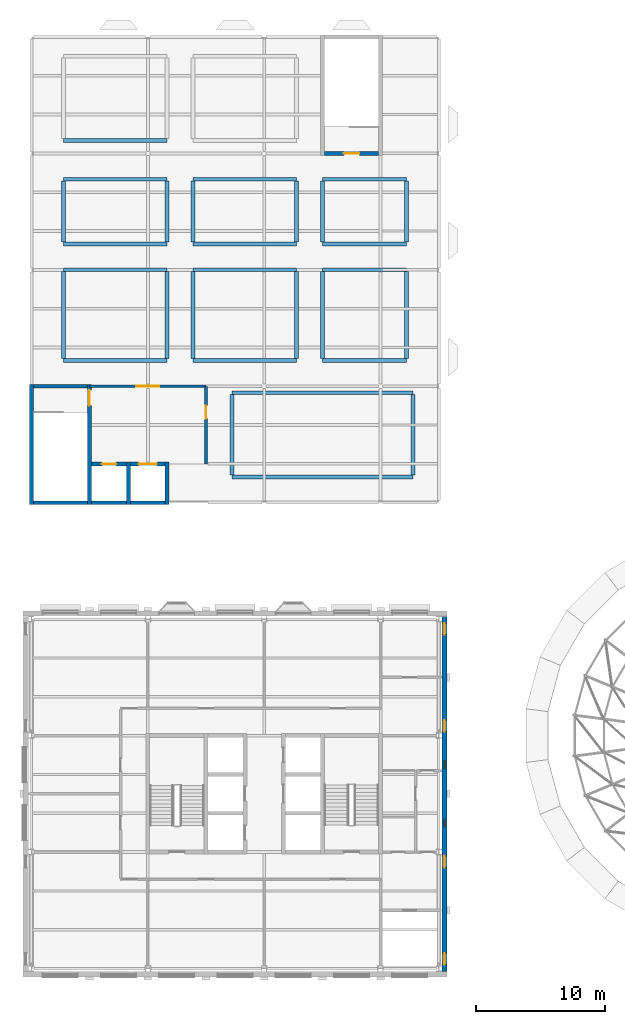
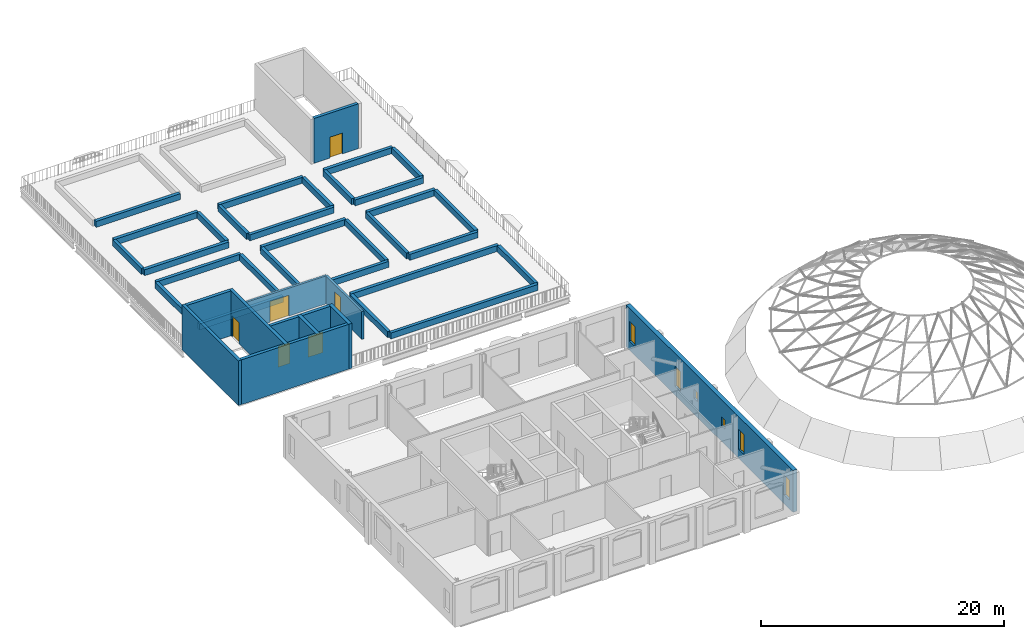
# One storey, part 14 of 33: 40 walls, 6 doors, 6 windows, 12 openings.
"""IFC4 building model written with IfcOpenShell, lengths in metres."""

from ifc_helpers import new_model, si_unit, direction, frame, frame_2d, origin, place, context, subcontext, project, spatial, rectangle, extrude, material, layer, layer_set, type_object, element, fill, save


model = new_model("IFC4")

# Units and contexts
model_context = context("Model", 3, precision=1e-05, world=origin(), true_north=direction((0.0, 1.0)))
body_context = subcontext(model_context, "Body", "Model", "MODEL_VIEW")
ifc_project = project(units=[si_unit("LENGTHUNIT", "METRE"), si_unit("AREAUNIT", "SQUARE_METRE"), si_unit("VOLUMEUNIT", "CUBIC_METRE"), si_unit("PLANEANGLEUNIT", "RADIAN"), si_unit("MASSUNIT", "GRAM", prefix="KILO")], contexts=[model_context])

# Site, building, storey
site_placement = place(None, origin())
site = spatial("IfcSite", under=ifc_project, at=site_placement, CompositionType="ELEMENT")
building_placement = place(site_placement, origin())
building = spatial("IfcBuilding", under=site, at=building_placement, Name="Hortulan Conservatory and Botanical Research Centre", CompositionType="ELEMENT")
storey_placement = place(building_placement, frame((0.0, 0.0, 19.199951171875)))
storey = spatial("IfcBuildingStorey", under=building, at=storey_placement, Name="L04", CompositionType="ELEMENT", Elevation=19.199951171875)

# Wall, openings, windows
ifc_material_1 = material(Name="Faience-faced brickwork masonry", Category="masonry")
ifc_layer_1 = layer(ifc_material_1, 0.39990234375)
ifc_layer_set_1 = layer_set([ifc_layer_1], Name="Faience-faced Masonry Cavity Wall 400")
wall_type_1 = type_object("IfcWallType", Name="Faience-faced Masonry Cavity Wall 400", PredefinedType="STANDARD", material=ifc_layer_set_1)
wall_1_placement = place(storey_placement, frame((31.925048828125, 27.22509765625, 0.0), z_axis=(0.0, 0.0, 1.0), x_axis=(0.0, -1.0, 0.0)))
wall_1 = element("IfcWall", 1, at=wall_1_placement, inside=storey, type_object=wall_type_1, Name="E-EW-TW-L04-E4", PredefinedType="STANDARD", context=body_context, shape_type="SweptSolid", body=[
    extrude(rectangle(XDim=27.4501953125, YDim=0.39990234375, at=frame_2d((13.72509765625, 0.0))), origin(), (0.0, 0.0, 1.0), 4.199951171875),
])
opening_1_placement = place(wall_1_placement, frame((26.02490234375, 0.0, 0.89990234375)))
opening_1 = element("IfcOpeningElement", 2, at=opening_1_placement, cuts=wall_1, Name="Opening W5", PredefinedType="OPENING", context=body_context, shape_type="SweptSolid", body=[
    extrude(rectangle(XDim=0.89990234375, YDim=2.0, at=frame_2d((0.449951171875, 1.0))), frame((0.0, 0.2099609375, 0.0), z_axis=(0.0, -1.0, 0.0), x_axis=(1.0, 0.0, 0.0)), (0.0, 0.0, 1.0), 0.419921875),
])
opening_2_placement = place(wall_1_placement, frame((18.52490234375, 0.0, 0.89990234375)))
opening_2 = element("IfcOpeningElement", 3, at=opening_2_placement, cuts=wall_1, Name="Opening W5", PredefinedType="OPENING", context=body_context, shape_type="SweptSolid", body=[
    extrude(rectangle(XDim=0.89990234375, YDim=2.0, at=frame_2d((0.449951171875, 1.0))), frame((0.0, 0.2099609375, 0.0), z_axis=(0.0, -1.0, 0.0), x_axis=(1.0, 0.0, 0.0)), (0.0, 0.0, 1.0), 0.419921875),
])
opening_3_placement = place(wall_1_placement, frame((15.675048828125, 0.0, 1.60009765625)))
opening_3 = element("IfcOpeningElement", 4, at=opening_3_placement, cuts=wall_1, Name="Opening W3", PredefinedType="OPENING", context=body_context, shape_type="SweptSolid", body=[
    extrude(rectangle(XDim=0.60009765625, YDim=0.89990234375, at=frame_2d((0.300048828125, 0.449951171875))), frame((0.0, 0.2099609375, 0.0), z_axis=(0.0, -1.0, 0.0), x_axis=(1.0, 0.0, 0.0)), (0.0, 0.0, 1.0), 0.419921875),
])
opening_4_placement = place(wall_1_placement, frame((11.175048828125, 0.0, 1.60009765625)))
opening_4 = element("IfcOpeningElement", 5, at=opening_4_placement, cuts=wall_1, Name="Opening W3", PredefinedType="OPENING", context=body_context, shape_type="SweptSolid", body=[
    extrude(rectangle(XDim=0.60009765625, YDim=0.89990234375, at=frame_2d((0.300048828125, 0.449951171875))), frame((0.0, 0.2099609375, 0.0), z_axis=(0.0, -1.0, 0.0), x_axis=(1.0, 0.0, 0.0)), (0.0, 0.0, 1.0), 0.419921875),
])
opening_5_placement = place(wall_1_placement, frame((8.02490234375, 0.0, 0.89990234375)))
opening_5 = element("IfcOpeningElement", 6, at=opening_5_placement, cuts=wall_1, Name="Opening W5", PredefinedType="OPENING", context=body_context, shape_type="SweptSolid", body=[
    extrude(rectangle(XDim=0.89990234375, YDim=2.0, at=frame_2d((0.449951171875, 1.0))), frame((0.0, 0.2099609375, 0.0), z_axis=(0.0, -1.0, 0.0), x_axis=(1.0, 0.0, 0.0)), (0.0, 0.0, 1.0), 0.419921875),
])
opening_6_placement = place(wall_1_placement, frame((0.52490234375, 0.0, 0.89990234375)))
opening_6 = element("IfcOpeningElement", 7, at=opening_6_placement, cuts=wall_1, Name="Opening W5", PredefinedType="OPENING", context=body_context, shape_type="SweptSolid", body=[
    extrude(rectangle(XDim=0.89990234375, YDim=2.0, at=frame_2d((0.449951171875, 1.0))), frame((0.0, 0.2099609375, 0.0), z_axis=(0.0, -1.0, 0.0), x_axis=(1.0, 0.0, 0.0)), (0.0, 0.0, 1.0), 0.419921875),
])
ifc_material_2 = material(Name="Bronze-finished aluminium frame with low-e laminated double glazing", Category="aluminium")
window_type_1 = type_object("IfcWindowType", Name="Faience Pier Window 900x2000", PartitioningType="SINGLE_PANEL", PredefinedType="WINDOW", material=ifc_material_2)
window_1_placement = place(opening_1_placement, origin())
window_1 = element("IfcWindow", 8, at=window_1_placement, inside=storey, type_object=window_type_1, Name="Faience Pier window", OverallHeight=2.0, OverallWidth=0.89990234375, PartitioningType="SINGLE_PANEL", PredefinedType="WINDOW", context=body_context, shape_type="SweptSolid", body=[
    extrude(rectangle(XDim=0.89990234375, YDim=2.0, at=frame_2d((0.449951171875, 1.0))), frame((0.0, 0.030029296875, 0.0), z_axis=(0.0, -1.0, 0.0), x_axis=(1.0, 0.0, 0.0)), (0.0, 0.0, 1.0), 0.06005859375),
])
fill(opening_1, window_1)
window_2_placement = place(opening_2_placement, origin())
window_2 = element("IfcWindow", 9, at=window_2_placement, inside=storey, type_object=window_type_1, Name="Faience Pier window", OverallHeight=2.0, OverallWidth=0.89990234375, PartitioningType="SINGLE_PANEL", PredefinedType="WINDOW", context=body_context, shape_type="SweptSolid", body=[
    extrude(rectangle(XDim=0.89990234375, YDim=2.0, at=frame_2d((0.449951171875, 1.0))), frame((0.0, 0.030029296875, 0.0), z_axis=(0.0, -1.0, 0.0), x_axis=(1.0, 0.0, 0.0)), (0.0, 0.0, 1.0), 0.06005859375),
])
fill(opening_2, window_2)
window_3_placement = place(opening_5_placement, origin())
window_3 = element("IfcWindow", 10, at=window_3_placement, inside=storey, type_object=window_type_1, Name="Faience Pier window", OverallHeight=2.0, OverallWidth=0.89990234375, PartitioningType="SINGLE_PANEL", PredefinedType="WINDOW", context=body_context, shape_type="SweptSolid", body=[
    extrude(rectangle(XDim=0.89990234375, YDim=2.0, at=frame_2d((0.449951171875, 1.0))), frame((0.0, 0.030029296875, 0.0), z_axis=(0.0, -1.0, 0.0), x_axis=(1.0, 0.0, 0.0)), (0.0, 0.0, 1.0), 0.06005859375),
])
fill(opening_5, window_3)
window_4_placement = place(opening_6_placement, origin())
window_4 = element("IfcWindow", 11, at=window_4_placement, inside=storey, type_object=window_type_1, Name="Faience Pier window", OverallHeight=2.0, OverallWidth=0.89990234375, PartitioningType="SINGLE_PANEL", PredefinedType="WINDOW", context=body_context, shape_type="SweptSolid", body=[
    extrude(rectangle(XDim=0.89990234375, YDim=2.0, at=frame_2d((0.449951171875, 1.0))), frame((0.0, 0.030029296875, 0.0), z_axis=(0.0, -1.0, 0.0), x_axis=(1.0, 0.0, 0.0)), (0.0, 0.0, 1.0), 0.06005859375),
])
fill(opening_6, window_4)
window_type_2 = type_object("IfcWindowType", Name="Slot Window 600x900", PartitioningType="SINGLE_PANEL", PredefinedType="WINDOW", material=ifc_material_2)
window_5_placement = place(opening_3_placement, origin())
window_5 = element("IfcWindow", 12, at=window_5_placement, inside=storey, type_object=window_type_2, Name="Slot window", OverallHeight=0.89990234375, OverallWidth=0.60009765625, PartitioningType="SINGLE_PANEL", PredefinedType="WINDOW", context=body_context, shape_type="SweptSolid", body=[
    extrude(rectangle(XDim=0.60009765625, YDim=0.89990234375, at=frame_2d((0.300048828125, 0.449951171875))), frame((0.0, 0.030029296875, 0.0), z_axis=(0.0, -1.0, 0.0), x_axis=(1.0, 0.0, 0.0)), (0.0, 0.0, 1.0), 0.06005859375),
])
fill(opening_3, window_5)
window_6_placement = place(opening_4_placement, origin())
window_6 = element("IfcWindow", 13, at=window_6_placement, inside=storey, type_object=window_type_2, Name="Slot window", OverallHeight=0.89990234375, OverallWidth=0.60009765625, PartitioningType="SINGLE_PANEL", PredefinedType="WINDOW", context=body_context, shape_type="SweptSolid", body=[
    extrude(rectangle(XDim=0.60009765625, YDim=0.89990234375, at=frame_2d((0.300048828125, 0.449951171875))), frame((0.0, 0.030029296875, 0.0), z_axis=(0.0, -1.0, 0.0), x_axis=(1.0, 0.0, 0.0)), (0.0, 0.0, 1.0), 0.06005859375),
])
fill(opening_4, window_6)

# Wall, opening, door
ifc_material_3 = material(Name="Concrete N40 (40 MPa, AS 3600)", Category="concrete")
ifc_layer_2 = layer(ifc_material_3, 0.199951171875)
ifc_layer_set_2 = layer_set([ifc_layer_2], Name="Roof Garden Lobby Wall 200")
wall_type_2 = type_object("IfcWallType", Name="Roof Garden Lobby Wall 200", PredefinedType="STANDARD", material=ifc_layer_set_2)
wall_2_placement = place(storey_placement, frame((4.5, 45.0, 0.0), z_axis=(0.0, 0.0, 1.0), x_axis=(1.0, 0.0, 0.0)))
wall_2 = element("IfcWall", 14, at=wall_2_placement, inside=storey, type_object=wall_type_2, Name="Roof garden lobby north wall", PredefinedType="STANDARD", context=body_context, shape_type="SweptSolid", body=[
    extrude(rectangle(XDim=9.0, YDim=0.199951171875, at=frame_2d((4.5, 0.0))), origin(), (0.0, 0.0, 1.0), 2.800048828125),
])
opening_7_placement = place(wall_2_placement, frame((3.60009765625, 0.0, 0.0)))
opening_7 = element("IfcOpeningElement", 15, at=opening_7_placement, cuts=wall_2, Name="Opening DL1", PredefinedType="OPENING", context=body_context, shape_type="SweptSolid", body=[
    extrude(rectangle(XDim=1.800048828125, YDim=2.10009765625, at=frame_2d((0.89990234375, 1.050048828125))), frame((0.0, 0.10986328125, 0.0), z_axis=(0.0, -1.0, 0.0), x_axis=(1.0, 0.0, 0.0)), (0.0, 0.0, 1.0), 0.219970703125),
])
ifc_material_4 = material(Name="Glazed aluminium door leaves in aluminium frame", Category="aluminium")
door_type_1 = type_object("IfcDoorType", Name="Glazed Double Door 1800 x 2100", OperationType="DOUBLE_DOOR_SINGLE_SWING", PredefinedType="DOOR", material=ifc_material_4)
door_1_placement = place(opening_7_placement, origin())
door_1 = element("IfcDoor", 16, at=door_1_placement, inside=storey, type_object=door_type_1, Name="Door DL1 roof garden lobby to roof garden", OperationType="DOUBLE_DOOR_SINGLE_SWING", OverallHeight=2.10009765625, OverallWidth=1.800048828125, PredefinedType="DOOR", context=body_context, shape_type="SweptSolid", body=[
    extrude(rectangle(XDim=1.800048828125, YDim=2.10009765625, at=frame_2d((0.89990234375, 1.050048828125))), frame((0.0, 0.02490234375, 0.0), z_axis=(0.0, -1.0, 0.0), x_axis=(1.0, 0.0, 0.0)), (0.0, 0.0, 1.0), 0.050048828125),
])
fill(opening_7, door_1)

wall_3_placement = place(storey_placement, frame((13.5, 39.0, 0.0), z_axis=(0.0, 0.0, 1.0), x_axis=(0.0, 1.0, 0.0)))
wall_3 = element("IfcWall", 17, at=wall_3_placement, inside=storey, type_object=wall_type_2, Name="Roof garden lobby east wall", PredefinedType="STANDARD", context=body_context, shape_type="SweptSolid", body=[
    extrude(rectangle(XDim=6.0, YDim=0.199951171875, at=frame_2d((3.0, 0.0))), origin(), (0.0, 0.0, 1.0), 2.800048828125),
])
opening_8_placement = place(wall_3_placement, frame((3.5, 0.0, 0.0)))
opening_8 = element("IfcOpeningElement", 18, at=opening_8_placement, cuts=wall_3, Name="Opening DL2", PredefinedType="OPENING", context=body_context, shape_type="SweptSolid", body=[
    extrude(rectangle(XDim=1.0, YDim=2.10009765625, at=frame_2d((0.5, 1.050048828125))), frame((0.0, 0.10986328125, 0.0), z_axis=(0.0, -1.0, 0.0), x_axis=(1.0, 0.0, 0.0)), (0.0, 0.0, 1.0), 0.219970703125),
])
ifc_material_5 = material(Name="Glazed aluminium door leaf in aluminium frame", Category="aluminium")
door_type_2 = type_object("IfcDoorType", Name="Glazed Single Door 1000 x 2100", OperationType="NOTDEFINED", PredefinedType="DOOR", material=ifc_material_5)
door_2_placement = place(opening_8_placement, frame((1.0, 0.0, 0.0), z_axis=(0.0, 0.0, 1.0), x_axis=(-1.0, 0.0, 0.0)))
door_2 = element("IfcDoor", 19, at=door_2_placement, inside=storey, type_object=door_type_2, Name="Door DL2 roof garden lobby to roof garden", OperationType="SINGLE_SWING_RIGHT", OverallHeight=2.10009765625, OverallWidth=1.0, PredefinedType="DOOR", context=body_context, shape_type="SweptSolid", body=[
    extrude(rectangle(XDim=1.0, YDim=2.10009765625, at=frame_2d((0.5, 1.050048828125))), frame((0.0, 0.02490234375, 0.0), z_axis=(0.0, -1.0, 0.0), x_axis=(1.0, 0.0, 0.0)), (0.0, 0.0, 1.0), 0.050048828125),
])
fill(opening_8, door_2)

# Walls
ifc_material_6 = material(Name="Brick masonry kerb with sandstone coping", Category="masonry")
ifc_layer_3 = layer(ifc_material_6, 0.300048828125)
ifc_layer_set_3 = layer_set([ifc_layer_3], Name="Roof Garden Planter Kerb 300x600")
wall_type_3 = type_object("IfcWallType", Name="Roof Garden Planter Kerb 300x600", PredefinedType="STANDARD", material=ifc_layer_set_3)
for number, where, z_axis, x_axis, name in (
    (20, (2.5, 47.0, 0.0), (0.0, 0.0, 1.0), (1.0, 0.0, 0.0), "Roof garden planter 1 south kerb"),
    (21, (2.5, 54.0, 0.0), (0.0, 0.0, 1.0), (1.0, 0.0, 0.0), "Roof garden planter 1 north kerb"),
):
    element("IfcWall", number, at=place(storey_placement, frame(where, z_axis=z_axis, x_axis=x_axis)), inside=storey, type_object=wall_type_3, Name=name, PredefinedType="STANDARD", context=body_context, shape_type="SweptSolid", body=[
        extrude(rectangle(XDim=8.0, YDim=0.300048828125, at=frame_2d((4.0, 0.0))), origin(), (0.0, 0.0, 1.0), 0.60009765625),
    ])
for number, where, z_axis, x_axis, name in (
    (22, (2.5, 47.14990234375, 0.0), (0.0, 0.0, 1.0), (0.0, 1.0, 0.0), "Roof garden planter 1 west kerb"),
    (23, (10.5, 47.14990234375, 0.0), (0.0, 0.0, 1.0), (0.0, 1.0, 0.0), "Roof garden planter 1 east kerb"),
):
    element("IfcWall", number, at=place(storey_placement, frame(where, z_axis=z_axis, x_axis=x_axis)), inside=storey, type_object=wall_type_3, Name=name, PredefinedType="STANDARD", context=body_context, shape_type="SweptSolid", body=[
        extrude(rectangle(XDim=6.7001953125, YDim=0.300048828125, at=frame_2d((3.35009765625, 0.0))), origin(), (0.0, 0.0, 1.0), 0.60009765625),
    ])
for number, where, z_axis, x_axis, name in (
    (24, (12.5, 47.0, 0.0), (0.0, 0.0, 1.0), (1.0, 0.0, 0.0), "Roof garden planter 2 south kerb"),
    (25, (12.5, 54.0, 0.0), (0.0, 0.0, 1.0), (1.0, 0.0, 0.0), "Roof garden planter 2 north kerb"),
):
    element("IfcWall", number, at=place(storey_placement, frame(where, z_axis=z_axis, x_axis=x_axis)), inside=storey, type_object=wall_type_3, Name=name, PredefinedType="STANDARD", context=body_context, shape_type="SweptSolid", body=[
        extrude(rectangle(XDim=8.0, YDim=0.300048828125, at=frame_2d((4.0, 0.0))), origin(), (0.0, 0.0, 1.0), 0.60009765625),
    ])
for number, where, z_axis, x_axis, name in (
    (26, (12.5, 47.14990234375, 0.0), (0.0, 0.0, 1.0), (0.0, 1.0, 0.0), "Roof garden planter 2 west kerb"),
    (27, (20.5, 47.14990234375, 0.0), (0.0, 0.0, 1.0), (0.0, 1.0, 0.0), "Roof garden planter 2 east kerb"),
):
    element("IfcWall", number, at=place(storey_placement, frame(where, z_axis=z_axis, x_axis=x_axis)), inside=storey, type_object=wall_type_3, Name=name, PredefinedType="STANDARD", context=body_context, shape_type="SweptSolid", body=[
        extrude(rectangle(XDim=6.7001953125, YDim=0.300048828125, at=frame_2d((3.35009765625, 0.0))), origin(), (0.0, 0.0, 1.0), 0.60009765625),
    ])
for number, where, z_axis, x_axis, name in (
    (28, (22.5, 47.0, 0.0), (0.0, 0.0, 1.0), (1.0, 0.0, 0.0), "Roof garden planter 3 south kerb"),
    (29, (22.5, 54.0, 0.0), (0.0, 0.0, 1.0), (1.0, 0.0, 0.0), "Roof garden planter 3 north kerb"),
):
    element("IfcWall", number, at=place(storey_placement, frame(where, z_axis=z_axis, x_axis=x_axis)), inside=storey, type_object=wall_type_3, Name=name, PredefinedType="STANDARD", context=body_context, shape_type="SweptSolid", body=[
        extrude(rectangle(XDim=6.5, YDim=0.300048828125, at=frame_2d((3.25, 0.0))), origin(), (0.0, 0.0, 1.0), 0.60009765625),
    ])
for number, where, z_axis, x_axis, name in (
    (30, (22.5, 47.14990234375, 0.0), (0.0, 0.0, 1.0), (0.0, 1.0, 0.0), "Roof garden planter 3 west kerb"),
    (31, (29.0, 47.14990234375, 0.0), (0.0, 0.0, 1.0), (0.0, 1.0, 0.0), "Roof garden planter 3 east kerb"),
):
    element("IfcWall", number, at=place(storey_placement, frame(where, z_axis=z_axis, x_axis=x_axis)), inside=storey, type_object=wall_type_3, Name=name, PredefinedType="STANDARD", context=body_context, shape_type="SweptSolid", body=[
        extrude(rectangle(XDim=6.7001953125, YDim=0.300048828125, at=frame_2d((3.35009765625, 0.0))), origin(), (0.0, 0.0, 1.0), 0.60009765625),
    ])
for number, where, z_axis, x_axis, name in (
    (32, (2.5, 56.0, 0.0), (0.0, 0.0, 1.0), (1.0, 0.0, 0.0), "Roof garden planter 4 south kerb"),
    (33, (2.5, 61.0, 0.0), (0.0, 0.0, 1.0), (1.0, 0.0, 0.0), "Roof garden planter 4 north kerb"),
):
    element("IfcWall", number, at=place(storey_placement, frame(where, z_axis=z_axis, x_axis=x_axis)), inside=storey, type_object=wall_type_3, Name=name, PredefinedType="STANDARD", context=body_context, shape_type="SweptSolid", body=[
        extrude(rectangle(XDim=8.0, YDim=0.300048828125, at=frame_2d((4.0, 0.0))), origin(), (0.0, 0.0, 1.0), 0.60009765625),
    ])
for number, where, z_axis, x_axis, name in (
    (34, (2.5, 56.14990234375, 0.0), (0.0, 0.0, 1.0), (0.0, 1.0, 0.0), "Roof garden planter 4 west kerb"),
    (35, (10.5, 56.14990234375, 0.0), (0.0, 0.0, 1.0), (0.0, 1.0, 0.0), "Roof garden planter 4 east kerb"),
):
    element("IfcWall", number, at=place(storey_placement, frame(where, z_axis=z_axis, x_axis=x_axis)), inside=storey, type_object=wall_type_3, Name=name, PredefinedType="STANDARD", context=body_context, shape_type="SweptSolid", body=[
        extrude(rectangle(XDim=4.7001953125, YDim=0.300048828125, at=frame_2d((2.35009765625, 0.0))), origin(), (0.0, 0.0, 1.0), 0.60009765625),
    ])
for number, where, z_axis, x_axis, name in (
    (36, (12.5, 56.0, 0.0), (0.0, 0.0, 1.0), (1.0, 0.0, 0.0), "Roof garden planter 5 south kerb"),
    (37, (12.5, 61.0, 0.0), (0.0, 0.0, 1.0), (1.0, 0.0, 0.0), "Roof garden planter 5 north kerb"),
):
    element("IfcWall", number, at=place(storey_placement, frame(where, z_axis=z_axis, x_axis=x_axis)), inside=storey, type_object=wall_type_3, Name=name, PredefinedType="STANDARD", context=body_context, shape_type="SweptSolid", body=[
        extrude(rectangle(XDim=8.0, YDim=0.300048828125, at=frame_2d((4.0, 0.0))), origin(), (0.0, 0.0, 1.0), 0.60009765625),
    ])
for number, where, z_axis, x_axis, name in (
    (38, (12.5, 56.14990234375, 0.0), (0.0, 0.0, 1.0), (0.0, 1.0, 0.0), "Roof garden planter 5 west kerb"),
    (39, (20.5, 56.14990234375, 0.0), (0.0, 0.0, 1.0), (0.0, 1.0, 0.0), "Roof garden planter 5 east kerb"),
):
    element("IfcWall", number, at=place(storey_placement, frame(where, z_axis=z_axis, x_axis=x_axis)), inside=storey, type_object=wall_type_3, Name=name, PredefinedType="STANDARD", context=body_context, shape_type="SweptSolid", body=[
        extrude(rectangle(XDim=4.7001953125, YDim=0.300048828125, at=frame_2d((2.35009765625, 0.0))), origin(), (0.0, 0.0, 1.0), 0.60009765625),
    ])
for number, where, z_axis, x_axis, name in (
    (40, (22.5, 56.0, 0.0), (0.0, 0.0, 1.0), (1.0, 0.0, 0.0), "Roof garden planter 6 south kerb"),
    (41, (22.5, 61.0, 0.0), (0.0, 0.0, 1.0), (1.0, 0.0, 0.0), "Roof garden planter 6 north kerb"),
):
    element("IfcWall", number, at=place(storey_placement, frame(where, z_axis=z_axis, x_axis=x_axis)), inside=storey, type_object=wall_type_3, Name=name, PredefinedType="STANDARD", context=body_context, shape_type="SweptSolid", body=[
        extrude(rectangle(XDim=6.5, YDim=0.300048828125, at=frame_2d((3.25, 0.0))), origin(), (0.0, 0.0, 1.0), 0.60009765625),
    ])
for number, where, z_axis, x_axis, name in (
    (42, (22.5, 56.14990234375, 0.0), (0.0, 0.0, 1.0), (0.0, 1.0, 0.0), "Roof garden planter 6 west kerb"),
    (43, (29.0, 56.14990234375, 0.0), (0.0, 0.0, 1.0), (0.0, 1.0, 0.0), "Roof garden planter 6 east kerb"),
):
    element("IfcWall", number, at=place(storey_placement, frame(where, z_axis=z_axis, x_axis=x_axis)), inside=storey, type_object=wall_type_3, Name=name, PredefinedType="STANDARD", context=body_context, shape_type="SweptSolid", body=[
        extrude(rectangle(XDim=4.7001953125, YDim=0.300048828125, at=frame_2d((2.35009765625, 0.0))), origin(), (0.0, 0.0, 1.0), 0.60009765625),
    ])
wall_4_placement = place(storey_placement, frame((2.5, 64.0, 0.0), z_axis=(0.0, 0.0, 1.0), x_axis=(1.0, 0.0, 0.0)))
element("IfcWall", 44, at=wall_4_placement, inside=storey, type_object=wall_type_3, Name="Roof garden planter 7 south kerb", PredefinedType="STANDARD", context=body_context, shape_type="SweptSolid", body=[
    extrude(rectangle(XDim=8.0, YDim=0.300048828125, at=frame_2d((4.0, 0.0))), origin(), (0.0, 0.0, 1.0), 0.60009765625),
])
for number, where, z_axis, x_axis, name in (
    (45, (15.5, 38.0, 0.0), (0.0, 0.0, 1.0), (1.0, 0.0, 0.0), "Roof garden planter 9 south kerb"),
    (46, (15.5, 44.5, 0.0), (0.0, 0.0, 1.0), (1.0, 0.0, 0.0), "Roof garden planter 9 north kerb"),
):
    element("IfcWall", number, at=place(storey_placement, frame(where, z_axis=z_axis, x_axis=x_axis)), inside=storey, type_object=wall_type_3, Name=name, PredefinedType="STANDARD", context=body_context, shape_type="SweptSolid", body=[
        extrude(rectangle(XDim=14.0, YDim=0.300048828125, at=frame_2d((7.0, 0.0))), origin(), (0.0, 0.0, 1.0), 0.60009765625),
    ])
for number, where, z_axis, x_axis, name in (
    (47, (15.5, 38.14990234375, 0.0), (0.0, 0.0, 1.0), (0.0, 1.0, 0.0), "Roof garden planter 9 west kerb"),
    (48, (29.5, 38.14990234375, 0.0), (0.0, 0.0, 1.0), (0.0, 1.0, 0.0), "Roof garden planter 9 east kerb"),
):
    element("IfcWall", number, at=place(storey_placement, frame(where, z_axis=z_axis, x_axis=x_axis)), inside=storey, type_object=wall_type_3, Name=name, PredefinedType="STANDARD", context=body_context, shape_type="SweptSolid", body=[
        extrude(rectangle(XDim=6.2001953125, YDim=0.300048828125, at=frame_2d((3.10009765625, 0.0))), origin(), (0.0, 0.0, 1.0), 0.60009765625),
    ])
ifc_layer_4 = layer(ifc_material_3, 0.300048828125)
ifc_layer_set_4 = layer_set([ifc_layer_4], Name="Shaft Head Wall 300")
wall_type_4 = type_object("IfcWallType", Name="Shaft Head Wall 300", PredefinedType="SOLIDWALL", material=ifc_layer_set_4)
wall_5_placement = place(storey_placement, frame((0.0, 35.85009765625, 0.0), z_axis=(0.0, 0.0, 1.0), x_axis=(0.0, 1.0, 0.0)))
element("IfcWall", 49, at=wall_5_placement, inside=storey, type_object=wall_type_4, Name="Roof garden VC19200-1 head wall 1", PredefinedType="SOLIDWALL", context=body_context, shape_type="SweptSolid", body=[
    extrude(rectangle(XDim=9.2998046875, YDim=0.300048828125, at=frame_2d((4.64990234375, 0.0))), origin(), (0.0, 0.0, 1.0), 4.5),
])

# Wall, opening, door
wall_6_placement = place(storey_placement, frame((4.5, 35.85009765625, 0.0), z_axis=(0.0, 0.0, 1.0), x_axis=(0.0, 1.0, 0.0)))
wall_6 = element("IfcWall", 50, at=wall_6_placement, inside=storey, type_object=wall_type_4, Name="Roof garden VC19200-1 head wall 2", PredefinedType="SOLIDWALL", context=body_context, shape_type="SweptSolid", body=[
    extrude(rectangle(XDim=9.2998046875, YDim=0.300048828125, at=frame_2d((4.64990234375, 0.0))), origin(), (0.0, 0.0, 1.0), 4.5),
])
opening_9_placement = place(wall_6_placement, frame((7.64990234375, 0.0, 0.0)))
opening_9 = element("IfcOpeningElement", 51, at=opening_9_placement, cuts=wall_6, Name="Opening DT5", PredefinedType="OPENING", context=body_context, shape_type="SweptSolid", body=[
    extrude(rectangle(XDim=1.199951171875, YDim=2.10009765625, at=frame_2d((0.60009765625, 1.050048828125))), frame((0.0, 0.159912109375, 0.0), z_axis=(0.0, -1.0, 0.0), x_axis=(1.0, 0.0, 0.0)), (0.0, 0.0, 1.0), 0.320068359375),
])
ifc_material_7 = material(Name="Steel door leaf, insulated", Category="steel")
door_type_3 = type_object("IfcDoorType", Name="Stair Door 1200x2100 FRL -/120/30", OperationType="NOTDEFINED", PredefinedType="DOOR", material=ifc_material_7)
door_3_placement = place(opening_9_placement, origin())
door_3 = element("IfcDoor", 52, at=door_3_placement, inside=storey, type_object=door_type_3, Name="Stair door V1 L04 E to Roof Garden Lobby", OperationType="SINGLE_SWING_LEFT", OverallHeight=2.10009765625, OverallWidth=1.199951171875, PredefinedType="DOOR", context=body_context, shape_type="SweptSolid", body=[
    extrude(rectangle(XDim=1.199951171875, YDim=2.10009765625, at=frame_2d((0.60009765625, 1.050048828125))), frame((0.0, 0.02490234375, 0.0), z_axis=(0.0, -1.0, 0.0), x_axis=(1.0, 0.0, 0.0)), (0.0, 0.0, 1.0), 0.050048828125),
])
fill(opening_9, door_3)

# Walls
for number, where, z_axis, x_axis, name in (
    (53, (7.5, 35.85009765625, 0.0), (0.0, 0.0, 1.0), (0.0, 1.0, 0.0), "Roof garden VC19200-1 head wall 3"),
    (54, (10.5, 35.85009765625, 0.0), (0.0, 0.0, 1.0), (0.0, 1.0, 0.0), "Roof garden VC19200-1 head wall 4"),
):
    element("IfcWall", number, at=place(storey_placement, frame(where, z_axis=z_axis, x_axis=x_axis)), inside=storey, type_object=wall_type_4, Name=name, PredefinedType="SOLIDWALL", context=body_context, shape_type="SweptSolid", body=[
        extrude(rectangle(XDim=3.2998046875, YDim=0.300048828125, at=frame_2d((1.64990234375, 0.0))), origin(), (0.0, 0.0, 1.0), 4.5),
    ])
wall_7_placement = place(storey_placement, frame((0.14990234375, 36.0, 0.0), z_axis=(0.0, 0.0, 1.0), x_axis=(1.0, 0.0, 0.0)))
element("IfcWall", 55, at=wall_7_placement, inside=storey, type_object=wall_type_4, Name="Roof garden VC19200-1 head wall 5", PredefinedType="SOLIDWALL", context=body_context, shape_type="SweptSolid", body=[
    extrude(rectangle(XDim=10.2001953125, YDim=0.300048828125, at=frame_2d((5.10009765625, 0.0))), origin(), (0.0, 0.0, 1.0), 4.5),
])

# Wall, openings, doors
wall_8_placement = place(storey_placement, frame((4.64990234375, 39.0, 0.0), z_axis=(0.0, 0.0, 1.0), x_axis=(1.0, 0.0, 0.0)))
wall_8 = element("IfcWall", 56, at=wall_8_placement, inside=storey, type_object=wall_type_4, Name="Roof garden VC19200-1 head wall 6", PredefinedType="SOLIDWALL", context=body_context, shape_type="SweptSolid", body=[
    extrude(rectangle(XDim=5.7001953125, YDim=0.300048828125, at=frame_2d((2.85009765625, 0.0))), origin(), (0.0, 0.0, 1.0), 4.5),
])
opening_10_placement = place(wall_8_placement, frame((0.800048828125, 0.0, 0.0)))
opening_10 = element("IfcOpeningElement", 57, at=opening_10_placement, cuts=wall_8, Name="Opening LD1", PredefinedType="OPENING", context=body_context, shape_type="SweptSolid", body=[
    extrude(rectangle(XDim=1.10009765625, YDim=2.10009765625, at=frame_2d((0.550048828125, 1.050048828125))), frame((0.0, 0.159912109375, 0.0), z_axis=(0.0, -1.0, 0.0), x_axis=(1.0, 0.0, 0.0)), (0.0, 0.0, 1.0), 0.320068359375),
])
opening_11_placement = place(wall_8_placement, frame((3.64990234375, 0.0, 0.0)))
opening_11 = element("IfcOpeningElement", 58, at=opening_11_placement, cuts=wall_8, Name="Opening LD2", PredefinedType="OPENING", context=body_context, shape_type="SweptSolid", body=[
    extrude(rectangle(XDim=1.39990234375, YDim=2.10009765625, at=frame_2d((0.699951171875, 1.050048828125))), frame((0.0, 0.159912109375, 0.0), z_axis=(0.0, -1.0, 0.0), x_axis=(1.0, 0.0, 0.0)), (0.0, 0.0, 1.0), 0.320068359375),
])
ifc_material_8 = material(Name="Stainless steel door leaves in steel frame", Category="steel")
door_type_4 = type_object("IfcDoorType", Name="Lift Landing Door 1100x2100", OperationType="DOUBLE_DOOR_SLIDING", PredefinedType="DOOR", material=ifc_material_8)
door_4_placement = place(opening_10_placement, origin())
door_4 = element("IfcDoor", 59, at=door_4_placement, inside=storey, type_object=door_type_4, Name="Lift LV1 landing door L04", OperationType="DOUBLE_DOOR_SLIDING", OverallHeight=2.10009765625, OverallWidth=1.10009765625, PredefinedType="DOOR", context=body_context, shape_type="SweptSolid", body=[
    extrude(rectangle(XDim=1.10009765625, YDim=2.10009765625, at=frame_2d((0.550048828125, 1.050048828125))), frame((0.0, 0.02490234375, 0.0), z_axis=(0.0, -1.0, 0.0), x_axis=(1.0, 0.0, 0.0)), (0.0, 0.0, 1.0), 0.050048828125),
])
fill(opening_10, door_4)
door_type_5 = type_object("IfcDoorType", Name="Lift Landing Door 1400x2100", OperationType="DOUBLE_DOOR_SLIDING", PredefinedType="DOOR", material=ifc_material_8)
door_5_placement = place(opening_11_placement, origin())
door_5 = element("IfcDoor", 60, at=door_5_placement, inside=storey, type_object=door_type_5, Name="Lift LV2 landing door L04", OperationType="DOUBLE_DOOR_SLIDING", OverallHeight=2.10009765625, OverallWidth=1.39990234375, PredefinedType="DOOR", context=body_context, shape_type="SweptSolid", body=[
    extrude(rectangle(XDim=1.39990234375, YDim=2.10009765625, at=frame_2d((0.699951171875, 1.050048828125))), frame((0.0, 0.02490234375, 0.0), z_axis=(0.0, -1.0, 0.0), x_axis=(1.0, 0.0, 0.0)), (0.0, 0.0, 1.0), 0.050048828125),
])
fill(opening_11, door_5)

# Wall
wall_9_placement = place(storey_placement, frame((0.14990234375, 45.0, 0.0), z_axis=(0.0, 0.0, 1.0), x_axis=(1.0, 0.0, 0.0)))
element("IfcWall", 61, at=wall_9_placement, inside=storey, type_object=wall_type_4, Name="Roof garden VC19200-1 head wall 7", PredefinedType="SOLIDWALL", context=body_context, shape_type="SweptSolid", body=[
    extrude(rectangle(XDim=4.2001953125, YDim=0.300048828125, at=frame_2d((2.10009765625, 0.0))), origin(), (0.0, 0.0, 1.0), 4.5),
])

# Wall, opening, door
wall_10_placement = place(storey_placement, frame((22.64990234375, 63.0, 0.0), z_axis=(0.0, 0.0, 1.0), x_axis=(1.0, 0.0, 0.0)))
wall_10 = element("IfcWall", 62, at=wall_10_placement, inside=storey, type_object=wall_type_4, Name="Roof garden VC19200-2 head wall 3", PredefinedType="SOLIDWALL", context=body_context, shape_type="SweptSolid", body=[
    extrude(rectangle(XDim=4.2001953125, YDim=0.300048828125, at=frame_2d((2.10009765625, 0.0))), origin(), (0.0, 0.0, 1.0), 4.5),
])
opening_12_placement = place(wall_10_placement, frame((1.5, 0.0, 0.0)))
opening_12 = element("IfcOpeningElement", 63, at=opening_12_placement, cuts=wall_10, Name="Opening DT5", PredefinedType="OPENING", context=body_context, shape_type="SweptSolid", body=[
    extrude(rectangle(XDim=1.199951171875, YDim=2.10009765625, at=frame_2d((0.60009765625, 1.050048828125))), frame((0.0, 0.159912109375, 0.0), z_axis=(0.0, -1.0, 0.0), x_axis=(1.0, 0.0, 0.0)), (0.0, 0.0, 1.0), 0.320068359375),
])
door_6_placement = place(opening_12_placement, origin())
door_6 = element("IfcDoor", 64, at=door_6_placement, inside=storey, type_object=door_type_3, Name="Stair door V2 L04 S to Roof Garden", OperationType="SINGLE_SWING_LEFT", OverallHeight=2.10009765625, OverallWidth=1.199951171875, PredefinedType="DOOR", context=body_context, shape_type="SweptSolid", body=[
    extrude(rectangle(XDim=1.199951171875, YDim=2.10009765625, at=frame_2d((0.60009765625, 1.050048828125))), frame((0.0, 0.02490234375, 0.0), z_axis=(0.0, -1.0, 0.0), x_axis=(1.0, 0.0, 0.0)), (0.0, 0.0, 1.0), 0.050048828125),
])
fill(opening_12, door_6)

save(model, "model.ifc")
